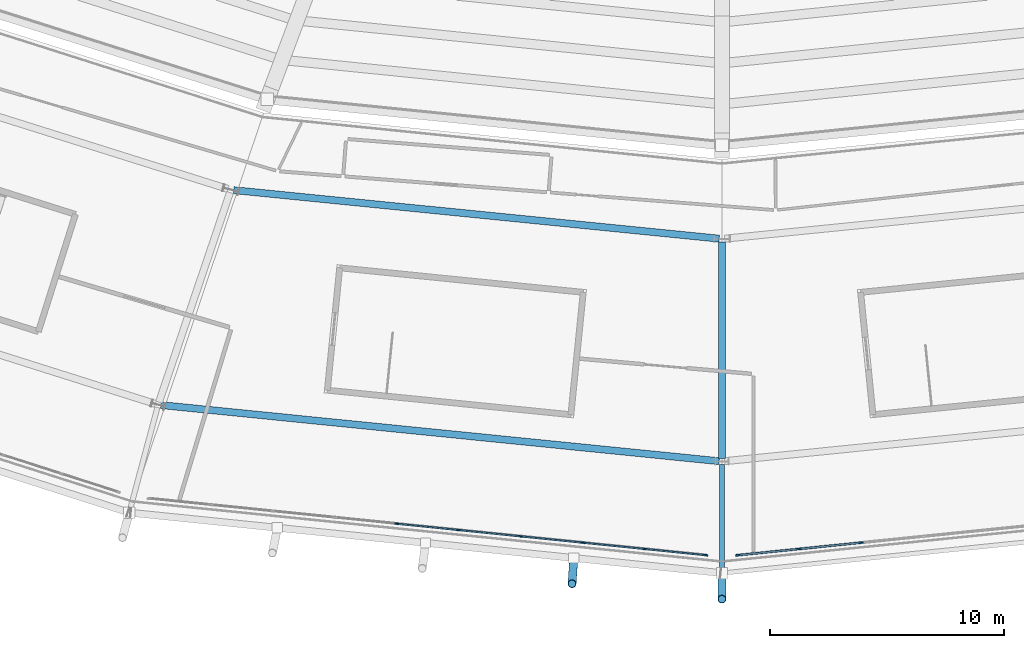
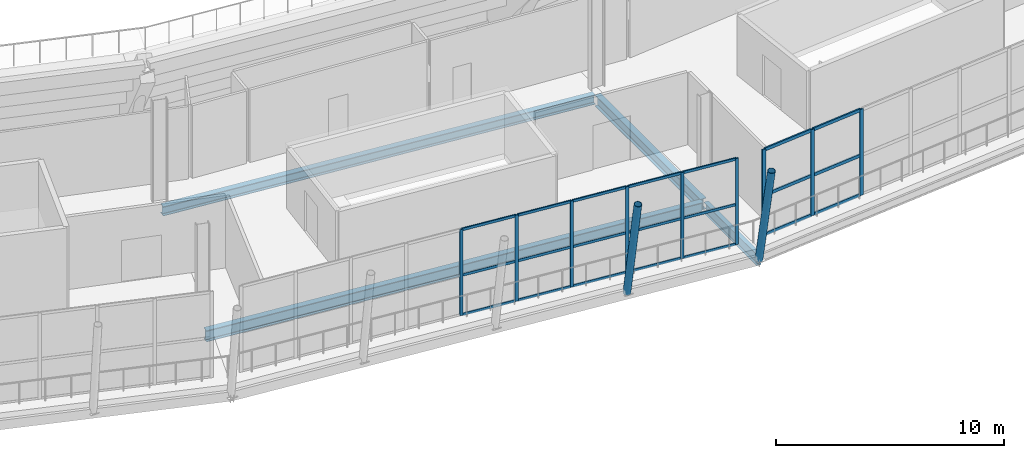
# One storey, part 22 of 126: 32 members, 4 beams, 2 elements without a shape of their own.
"""IFC4 building model written with IfcOpenShell, lengths in metres."""

from ifc_helpers import new_model, si_unit, direction, frame, origin, origin_2d, place, context, subcontext, project, spatial, rectangle, hollow_circle, i_section, extrude, material, material_profile, profile_set, type_object, element, aggregate, save


model = new_model("IFC4")

# Units and contexts
model_context = context("Model", 3, precision=1e-05, world=origin(), true_north=direction((0.0, 1.0)))
body_context = subcontext(model_context, "Body", "Model", "MODEL_VIEW")
ifc_project = project(units=[si_unit("LENGTHUNIT", "METRE"), si_unit("AREAUNIT", "SQUARE_METRE"), si_unit("VOLUMEUNIT", "CUBIC_METRE"), si_unit("PLANEANGLEUNIT", "RADIAN"), si_unit("MASSUNIT", "GRAM", prefix="KILO")], contexts=[model_context])

# Site, building, storey
site_placement = place(None, origin())
site = spatial("IfcSite", under=ifc_project, at=site_placement, CompositionType="ELEMENT")
building_placement = place(site_placement, origin())
building = spatial("IfcBuilding", under=site, at=building_placement, Name="Zlatoyarsky Gate Stadium", CompositionType="ELEMENT")
storey_placement = place(building_placement, frame((0.0, 0.0, 20.800048828125)))
storey = spatial("IfcBuildingStorey", under=building, at=storey_placement, Name="L04", CompositionType="ELEMENT", Elevation=20.800048828125)

# Curtain wall, members
ifc_material_1 = material(Name="Thermally broken anodised aluminium curtain wall", Category="aluminium")
curtain_wall_type_1 = type_object("IfcCurtainWallType", Name="MONUMENTAL ARCHED GATE GLAZING LOWER", PredefinedType="USERDEFINED", material=ifc_material_1)
curtain_wall_1_placement = place(storey_placement, origin())
curtain_wall_1 = element("IfcCurtainWall", 1, at=curtain_wall_1_placement, inside=storey, type_object=curtain_wall_type_1, Name="Curtain wall CW-L04-18", ObjectType="ARCHED GATE GLAZING", PredefinedType="USERDEFINED")
ifc_material_2 = material(Name="Anodised aluminium 6063-T6", Category="aluminium")
ifc_material_profile_1 = material_profile(ifc_material_2, rectangle(XDim=0.074951171875, YDim=0.18994140625, at=origin_2d()), Name="ALU 75X190")
ifc_profile_set_1 = profile_set([ifc_material_profile_1], Name="Anodised aluminium 6063-T6")
member_type_1 = type_object("IfcMemberType", Name="ALUMINIUM GATE MULLION 75X190", PredefinedType="MULLION", material=ifc_profile_set_1)
member_1_placement = place(storey_placement, frame((111.68408203125, 5.0, 0.0), z_axis=(0.0, 0.0, 1.0), x_axis=(-0.10129293102, 0.994856644007, 0.0)))
member_1 = element("IfcMember", 2, at=member_1_placement, type_object=member_type_1, Name="CW-AG1 mullion 1", PredefinedType="MULLION", context=body_context, shape_type="SweptSolid", body=[
    extrude(rectangle(XDim=0.074951171875, YDim=0.18994140625, at=origin_2d()), origin(), (0.0, 0.0, 1.0), 4.619873046875),
])
member_2_placement = place(storey_placement, frame((114.29443359375, 5.265869140625, 0.0), z_axis=(0.0, 0.0, 1.0), x_axis=(-0.10129293102, 0.994856644007, 0.0)))
member_2 = element("IfcMember", 3, at=member_2_placement, type_object=member_type_1, Name="CW-AG1 mullion 2", PredefinedType="MULLION", context=body_context, shape_type="SweptSolid", body=[
    extrude(rectangle(XDim=0.074951171875, YDim=0.18994140625, at=origin_2d()), origin(), (0.0, 0.0, 1.0), 4.619873046875),
])
member_3_placement = place(storey_placement, frame((116.9423828125, 5.535400390625, 0.0), z_axis=(0.0, 0.0, 1.0), x_axis=(-0.10129293102, 0.994856644007, 0.0)))
member_3 = element("IfcMember", 4, at=member_3_placement, type_object=member_type_1, Name="CW-AG1 mullion 3", PredefinedType="MULLION", context=body_context, shape_type="SweptSolid", body=[
    extrude(rectangle(XDim=0.074951171875, YDim=0.18994140625, at=origin_2d()), origin(), (0.0, 0.0, 1.0), 4.619873046875),
])
ifc_material_profile_2 = material_profile(ifc_material_2, rectangle(XDim=0.074951171875, YDim=0.169921875, at=origin_2d()), Name="ALU 75X170")
ifc_profile_set_2 = profile_set([ifc_material_profile_2], Name="Anodised aluminium 6063-T6")
member_type_2 = type_object("IfcMemberType", Name="ALUMINIUM GATE TRANSOM 75X170", PredefinedType="USERDEFINED", material=ifc_profile_set_2)
member_4_placement = place(storey_placement, frame((111.721435546875, 5.00390625, 0.037353515625), z_axis=(0.994861153899, 0.101248626966, 0.0), x_axis=(-0.101248626966, 0.994861153899, 0.0)))
member_4 = element("IfcMember", 5, at=member_4_placement, type_object=member_type_2, Name="CW-AG1 transom 1.1", ObjectType="TRANSOM", PredefinedType="USERDEFINED", context=body_context, shape_type="SweptSolid", body=[
    extrude(rectangle(XDim=0.074951171875, YDim=0.169921875, at=origin_2d()), origin(), (0.0, 0.0, 1.0), 2.548828125),
])
member_5_placement = place(storey_placement, frame((111.721435546875, 5.00390625, 2.14990234375), z_axis=(0.994861153899, 0.101248626966, 0.0), x_axis=(-0.101248626966, 0.994861153899, 0.0)))
member_5 = element("IfcMember", 6, at=member_5_placement, type_object=member_type_2, Name="CW-AG1 transom 1.2", ObjectType="TRANSOM", PredefinedType="USERDEFINED", context=body_context, shape_type="SweptSolid", body=[
    extrude(rectangle(XDim=0.074951171875, YDim=0.169921875, at=origin_2d()), origin(), (0.0, 0.0, 1.0), 2.548828125),
])
member_6_placement = place(storey_placement, frame((111.721435546875, 5.00390625, 4.58251953125), z_axis=(0.994861153899, 0.101248626966, 0.0), x_axis=(-0.101248626966, 0.994861153899, 0.0)))
member_6 = element("IfcMember", 7, at=member_6_placement, type_object=member_type_2, Name="CW-AG1 transom 1.3", ObjectType="TRANSOM", PredefinedType="USERDEFINED", context=body_context, shape_type="SweptSolid", body=[
    extrude(rectangle(XDim=0.074951171875, YDim=0.169921875, at=origin_2d()), origin(), (0.0, 0.0, 1.0), 2.548828125),
])
member_7_placement = place(storey_placement, frame((114.331787109375, 5.26953125, 0.037353515625), z_axis=(0.994858042808, 0.101279191644, 0.0), x_axis=(-0.101279191644, 0.994858042808, 0.0)))
member_7 = element("IfcMember", 8, at=member_7_placement, type_object=member_type_2, Name="CW-AG1 transom 2.1", ObjectType="TRANSOM", PredefinedType="USERDEFINED", context=body_context, shape_type="SweptSolid", body=[
    extrude(rectangle(XDim=0.074951171875, YDim=0.169921875, at=origin_2d()), origin(), (0.0, 0.0, 1.0), 2.58642578125),
])
member_8_placement = place(storey_placement, frame((114.331787109375, 5.26953125, 2.14990234375), z_axis=(0.994858042808, 0.101279191644, 0.0), x_axis=(-0.101279191644, 0.994858042808, 0.0)))
member_8 = element("IfcMember", 9, at=member_8_placement, type_object=member_type_2, Name="CW-AG1 transom 2.2", ObjectType="TRANSOM", PredefinedType="USERDEFINED", context=body_context, shape_type="SweptSolid", body=[
    extrude(rectangle(XDim=0.074951171875, YDim=0.169921875, at=origin_2d()), origin(), (0.0, 0.0, 1.0), 2.58642578125),
])
member_9_placement = place(storey_placement, frame((114.331787109375, 5.26953125, 4.58251953125), z_axis=(0.994858042808, 0.101279191644, 0.0), x_axis=(-0.101279191644, 0.994858042808, 0.0)))
member_9 = element("IfcMember", 10, at=member_9_placement, type_object=member_type_2, Name="CW-AG1 transom 2.3", ObjectType="TRANSOM", PredefinedType="USERDEFINED", context=body_context, shape_type="SweptSolid", body=[
    extrude(rectangle(XDim=0.074951171875, YDim=0.169921875, at=origin_2d()), origin(), (0.0, 0.0, 1.0), 2.58642578125),
])
aggregate(curtain_wall_1, [member_1, member_2, member_3, member_4, member_5, member_6, member_7, member_8, member_9])

curtain_wall_type_2 = type_object("IfcCurtainWallType", Name="UNITISED MEDIA RING GLAZING L04", PredefinedType="USERDEFINED", material=ifc_material_1)
curtain_wall_2_placement = place(storey_placement, origin())
curtain_wall_2 = element("IfcCurtainWall", 11, at=curtain_wall_2_placement, inside=storey, type_object=curtain_wall_type_2, Name="Curtain wall CW-L04-17", ObjectType="UNITISED GLAZING", PredefinedType="USERDEFINED")
ifc_material_profile_3 = material_profile(ifc_material_2, rectangle(XDim=0.06494140625, YDim=0.159912109375, at=origin_2d()), Name="ALU 65X160")
ifc_profile_set_3 = profile_set([ifc_material_profile_3], Name="Anodised aluminium 6063-T6")
member_type_3 = type_object("IfcMemberType", Name="ALUMINIUM MULLION 65X160", PredefinedType="MULLION", material=ifc_profile_set_3)
member_10_placement = place(storey_placement, frame((97.1142578125, 6.34423828125, 0.0), z_axis=(0.0, 0.0, 1.0), x_axis=(0.10129293102, 0.994856644007, 0.0)))
member_10 = element("IfcMember", 12, at=member_10_placement, type_object=member_type_3, Name="CW-UG4 mullion 5", PredefinedType="MULLION", context=body_context, shape_type="SweptSolid", body=[
    extrude(rectangle(XDim=0.06494140625, YDim=0.159912109375, at=origin_2d()), origin(), (0.0, 0.0, 1.0), 4.619873046875),
])
member_11_placement = place(storey_placement, frame((99.76220703125, 6.074462890625, 0.0), z_axis=(0.0, 0.0, 1.0), x_axis=(0.10129293102, 0.994856644007, 0.0)))
member_11 = element("IfcMember", 13, at=member_11_placement, type_object=member_type_3, Name="CW-UG4 mullion 6", PredefinedType="MULLION", context=body_context, shape_type="SweptSolid", body=[
    extrude(rectangle(XDim=0.06494140625, YDim=0.159912109375, at=origin_2d()), origin(), (0.0, 0.0, 1.0), 4.619873046875),
])
member_12_placement = place(storey_placement, frame((102.409912109375, 5.804931640625, 0.0), z_axis=(0.0, 0.0, 1.0), x_axis=(0.10129293102, 0.994856644007, 0.0)))
member_12 = element("IfcMember", 14, at=member_12_placement, type_object=member_type_3, Name="CW-UG4 mullion 7", PredefinedType="MULLION", context=body_context, shape_type="SweptSolid", body=[
    extrude(rectangle(XDim=0.06494140625, YDim=0.159912109375, at=origin_2d()), origin(), (0.0, 0.0, 1.0), 4.619873046875),
])
member_13_placement = place(storey_placement, frame((105.0576171875, 5.535400390625, 0.0), z_axis=(0.0, 0.0, 1.0), x_axis=(0.10129293102, 0.994856644007, 0.0)))
member_13 = element("IfcMember", 15, at=member_13_placement, type_object=member_type_3, Name="CW-UG4 mullion 8", PredefinedType="MULLION", context=body_context, shape_type="SweptSolid", body=[
    extrude(rectangle(XDim=0.06494140625, YDim=0.159912109375, at=origin_2d()), origin(), (0.0, 0.0, 1.0), 4.619873046875),
])
member_14_placement = place(storey_placement, frame((107.70556640625, 5.265869140625, 0.0), z_axis=(0.0, 0.0, 1.0), x_axis=(0.10129293102, 0.994856644007, 0.0)))
member_14 = element("IfcMember", 16, at=member_14_placement, type_object=member_type_3, Name="CW-UG4 mullion 9", PredefinedType="MULLION", context=body_context, shape_type="SweptSolid", body=[
    extrude(rectangle(XDim=0.06494140625, YDim=0.159912109375, at=origin_2d()), origin(), (0.0, 0.0, 1.0), 4.619873046875),
])
member_15_placement = place(storey_placement, frame((110.321044921875, 4.99951171875, 0.0), z_axis=(0.0, 0.0, 1.0), x_axis=(0.10129293102, 0.994856644007, 0.0)))
member_15 = element("IfcMember", 17, at=member_15_placement, type_object=member_type_3, Name="CW-UG4 mullion 10", PredefinedType="MULLION", context=body_context, shape_type="SweptSolid", body=[
    extrude(rectangle(XDim=0.06494140625, YDim=0.159912109375, at=origin_2d()), origin(), (0.0, 0.0, 1.0), 4.619873046875),
])
ifc_material_profile_4 = material_profile(ifc_material_2, rectangle(XDim=0.06494140625, YDim=0.139892578125, at=origin_2d()), Name="ALU 65X140")
ifc_profile_set_4 = profile_set([ifc_material_profile_4], Name="Anodised aluminium 6063-T6")
member_type_4 = type_object("IfcMemberType", Name="ALUMINIUM TRANSOM 65X140", PredefinedType="USERDEFINED", material=ifc_profile_set_4)
member_16_placement = place(storey_placement, frame((97.146728515625, 6.3408203125, 0.032470703125), z_axis=(0.994858725957, -0.101272480894, 0.0), x_axis=(0.101272480894, 0.994858725957, 0.0)))
member_16 = element("IfcMember", 18, at=member_16_placement, type_object=member_type_4, Name="CW-UG4 transom 5.1", ObjectType="TRANSOM", PredefinedType="USERDEFINED", context=body_context, shape_type="SweptSolid", body=[
    extrude(rectangle(XDim=0.06494140625, YDim=0.139892578125, at=origin_2d()), origin(), (0.0, 0.0, 1.0), 2.596435546875),
])
member_17_placement = place(storey_placement, frame((97.146728515625, 6.3408203125, 2.14990234375), z_axis=(0.994858725957, -0.101272480894, 0.0), x_axis=(0.101272480894, 0.994858725957, 0.0)))
member_17 = element("IfcMember", 19, at=member_17_placement, type_object=member_type_4, Name="CW-UG4 transom 5.2", ObjectType="TRANSOM", PredefinedType="USERDEFINED", context=body_context, shape_type="SweptSolid", body=[
    extrude(rectangle(XDim=0.06494140625, YDim=0.139892578125, at=origin_2d()), origin(), (0.0, 0.0, 1.0), 2.596435546875),
])
member_18_placement = place(storey_placement, frame((97.146728515625, 6.3408203125, 4.58740234375), z_axis=(0.994858725957, -0.101272480894, 0.0), x_axis=(0.101272480894, 0.994858725957, 0.0)))
member_18 = element("IfcMember", 20, at=member_18_placement, type_object=member_type_4, Name="CW-UG4 transom 5.3", ObjectType="TRANSOM", PredefinedType="USERDEFINED", context=body_context, shape_type="SweptSolid", body=[
    extrude(rectangle(XDim=0.06494140625, YDim=0.139892578125, at=origin_2d()), origin(), (0.0, 0.0, 1.0), 2.596435546875),
])
member_19_placement = place(storey_placement, frame((99.79443359375, 6.0712890625, 0.032470703125), z_axis=(0.994859690225, -0.101263007879, 0.0), x_axis=(0.101263007879, 0.994859690225, 0.0)))
member_19 = element("IfcMember", 21, at=member_19_placement, type_object=member_type_4, Name="CW-UG4 transom 6.1", ObjectType="TRANSOM", PredefinedType="USERDEFINED", context=body_context, shape_type="SweptSolid", body=[
    extrude(rectangle(XDim=0.06494140625, YDim=0.139892578125, at=origin_2d()), origin(), (0.0, 0.0, 1.0), 2.5966796875),
])
member_20_placement = place(storey_placement, frame((99.79443359375, 6.0712890625, 2.14990234375), z_axis=(0.994859690225, -0.101263007879, 0.0), x_axis=(0.101263007879, 0.994859690225, 0.0)))
member_20 = element("IfcMember", 22, at=member_20_placement, type_object=member_type_4, Name="CW-UG4 transom 6.2", ObjectType="TRANSOM", PredefinedType="USERDEFINED", context=body_context, shape_type="SweptSolid", body=[
    extrude(rectangle(XDim=0.06494140625, YDim=0.139892578125, at=origin_2d()), origin(), (0.0, 0.0, 1.0), 2.5966796875),
])
member_21_placement = place(storey_placement, frame((99.79443359375, 6.0712890625, 4.58740234375), z_axis=(0.994859690225, -0.101263007879, 0.0), x_axis=(0.101263007879, 0.994859690225, 0.0)))
member_21 = element("IfcMember", 23, at=member_21_placement, type_object=member_type_4, Name="CW-UG4 transom 6.3", ObjectType="TRANSOM", PredefinedType="USERDEFINED", context=body_context, shape_type="SweptSolid", body=[
    extrude(rectangle(XDim=0.06494140625, YDim=0.139892578125, at=origin_2d()), origin(), (0.0, 0.0, 1.0), 2.5966796875),
])
member_22_placement = place(storey_placement, frame((102.4423828125, 5.8017578125, 0.032470703125), z_axis=(0.994849247799, -0.101365547176, 0.0), x_axis=(0.101365547176, 0.994849247799, 0.0)))
member_22 = element("IfcMember", 24, at=member_22_placement, type_object=member_type_4, Name="CW-UG4 transom 7.1", ObjectType="TRANSOM", PredefinedType="USERDEFINED", context=body_context, shape_type="SweptSolid", body=[
    extrude(rectangle(XDim=0.06494140625, YDim=0.139892578125, at=origin_2d()), origin(), (0.0, 0.0, 1.0), 2.596435546875),
])
member_23_placement = place(storey_placement, frame((102.4423828125, 5.8017578125, 2.14990234375), z_axis=(0.994849247799, -0.101365547176, 0.0), x_axis=(0.101365547176, 0.994849247799, 0.0)))
member_23 = element("IfcMember", 25, at=member_23_placement, type_object=member_type_4, Name="CW-UG4 transom 7.2", ObjectType="TRANSOM", PredefinedType="USERDEFINED", context=body_context, shape_type="SweptSolid", body=[
    extrude(rectangle(XDim=0.06494140625, YDim=0.139892578125, at=origin_2d()), origin(), (0.0, 0.0, 1.0), 2.596435546875),
])
member_24_placement = place(storey_placement, frame((102.4423828125, 5.8017578125, 4.58740234375), z_axis=(0.994849247799, -0.101365547176, 0.0), x_axis=(0.101365547176, 0.994849247799, 0.0)))
member_24 = element("IfcMember", 26, at=member_24_placement, type_object=member_type_4, Name="CW-UG4 transom 7.3", ObjectType="TRANSOM", PredefinedType="USERDEFINED", context=body_context, shape_type="SweptSolid", body=[
    extrude(rectangle(XDim=0.06494140625, YDim=0.139892578125, at=origin_2d()), origin(), (0.0, 0.0, 1.0), 2.596435546875),
])
member_25_placement = place(storey_placement, frame((105.090087890625, 5.531982421875, 0.032470703125), z_axis=(0.994858725957, -0.101272480894, 0.0), x_axis=(0.101272480894, 0.994858725957, 0.0)))
member_25 = element("IfcMember", 27, at=member_25_placement, type_object=member_type_4, Name="CW-UG4 transom 8.1", ObjectType="TRANSOM", PredefinedType="USERDEFINED", context=body_context, shape_type="SweptSolid", body=[
    extrude(rectangle(XDim=0.06494140625, YDim=0.139892578125, at=origin_2d()), origin(), (0.0, 0.0, 1.0), 2.596435546875),
])
member_26_placement = place(storey_placement, frame((105.090087890625, 5.531982421875, 2.14990234375), z_axis=(0.994858725957, -0.101272480894, 0.0), x_axis=(0.101272480894, 0.994858725957, 0.0)))
member_26 = element("IfcMember", 28, at=member_26_placement, type_object=member_type_4, Name="CW-UG4 transom 8.2", ObjectType="TRANSOM", PredefinedType="USERDEFINED", context=body_context, shape_type="SweptSolid", body=[
    extrude(rectangle(XDim=0.06494140625, YDim=0.139892578125, at=origin_2d()), origin(), (0.0, 0.0, 1.0), 2.596435546875),
])
member_27_placement = place(storey_placement, frame((105.090087890625, 5.531982421875, 4.58740234375), z_axis=(0.994858725957, -0.101272480894, 0.0), x_axis=(0.101272480894, 0.994858725957, 0.0)))
member_27 = element("IfcMember", 29, at=member_27_placement, type_object=member_type_4, Name="CW-UG4 transom 8.3", ObjectType="TRANSOM", PredefinedType="USERDEFINED", context=body_context, shape_type="SweptSolid", body=[
    extrude(rectangle(XDim=0.06494140625, YDim=0.139892578125, at=origin_2d()), origin(), (0.0, 0.0, 1.0), 2.596435546875),
])
member_28_placement = place(storey_placement, frame((107.73779296875, 5.262451171875, 0.032470703125), z_axis=(0.994854532234, -0.101313669822, 0.0), x_axis=(0.101313669822, 0.994854532234, 0.0)))
member_28 = element("IfcMember", 30, at=member_28_placement, type_object=member_type_4, Name="CW-UG4 transom 9.1", ObjectType="TRANSOM", PredefinedType="USERDEFINED", context=body_context, shape_type="SweptSolid", body=[
    extrude(rectangle(XDim=0.06494140625, YDim=0.139892578125, at=origin_2d()), origin(), (0.0, 0.0, 1.0), 2.56396484375),
])
member_29_placement = place(storey_placement, frame((107.73779296875, 5.262451171875, 2.14990234375), z_axis=(0.994854532234, -0.101313669822, 0.0), x_axis=(0.101313669822, 0.994854532234, 0.0)))
member_29 = element("IfcMember", 31, at=member_29_placement, type_object=member_type_4, Name="CW-UG4 transom 9.2", ObjectType="TRANSOM", PredefinedType="USERDEFINED", context=body_context, shape_type="SweptSolid", body=[
    extrude(rectangle(XDim=0.06494140625, YDim=0.139892578125, at=origin_2d()), origin(), (0.0, 0.0, 1.0), 2.56396484375),
])
member_30_placement = place(storey_placement, frame((107.73779296875, 5.262451171875, 4.58740234375), z_axis=(0.994854532234, -0.101313669822, 0.0), x_axis=(0.101313669822, 0.994854532234, 0.0)))
member_30 = element("IfcMember", 32, at=member_30_placement, type_object=member_type_4, Name="CW-UG4 transom 9.3", ObjectType="TRANSOM", PredefinedType="USERDEFINED", context=body_context, shape_type="SweptSolid", body=[
    extrude(rectangle(XDim=0.06494140625, YDim=0.139892578125, at=origin_2d()), origin(), (0.0, 0.0, 1.0), 2.56396484375),
])
aggregate(curtain_wall_2, [member_10, member_11, member_12, member_13, member_14, member_15, member_16, member_17, member_18, member_19, member_20, member_21, member_22, member_23, member_24, member_25, member_26, member_27, member_28, member_29, member_30])

# Beam
ifc_material_3 = material(Name="Steel S355", Category="steel")
ifc_material_profile_5 = material_profile(ifc_material_3, i_section(OverallWidth=0.219970703125, OverallDepth=0.60009765625, WebThickness=0.011962890625, FlangeThickness=0.01904296875, FilletRadius=0.02392578125, at=origin_2d()), Name="IPE 600")
ifc_profile_set_5 = profile_set([ifc_material_profile_5], Name="Steel S355")
beam_type_1 = type_object("IfcBeamType", Name="STEEL CANTILEVER FLOOR BEAM IPE 600", PredefinedType="BEAM", material=ifc_profile_set_5)
beam_1_placement = place(storey_placement, frame((111.0, 8.8798828125, -0.60009765625), z_axis=(0.0, -1.0, 0.0), x_axis=(1.0, 0.0, 0.0)))
element("IfcBeam", 33, at=beam_1_placement, inside=storey, type_object=beam_type_1, Name="Beam B-IPE600 BM-L04-OUT-18", PredefinedType="BEAM", context=body_context, shape_type="SweptSolid", body=[
    extrude(i_section(OverallWidth=0.219970703125, OverallDepth=0.60009765625, WebThickness=0.011962890625, FlangeThickness=0.01904296875, FilletRadius=0.02392578125, at=origin_2d()), origin(), (0.0, 0.0, 1.0), 4.6494140625),
])

# Members
ifc_material_profile_6 = material_profile(ifc_material_3, hollow_circle(Radius=0.177734375, WallThickness=0.02001953125, at=origin_2d()), Name="CHS 355.6X20")
ifc_profile_set_6 = profile_set([ifc_material_profile_6], Name="Steel S355")
member_type_5 = type_object("IfcMemberType", Name="STEEL LEANING RIB RING STRUT CHS 355.6X20", PredefinedType="STRUT", material=ifc_profile_set_6)
member_31_placement = place(storey_placement, frame((111.0, 4.23046875, -0.60009765625), z_axis=(0.0, -0.199692055567, 0.979858705602), x_axis=(1.0, 0.0, 0.0)))
element("IfcMember", 34, at=member_31_placement, inside=storey, type_object=member_type_5, Name="Leaning ring strut 18 L04 to L05", PredefinedType="STRUT", context=body_context, shape_type="SweptSolid", body=[
    extrude(hollow_circle(Radius=0.177734375, WallThickness=0.02001953125, at=origin_2d()), origin(), (0.0, 0.0, 1.0), 5.5517578125),
])
member_32_placement = place(storey_placement, frame((104.673828125, 4.875732421875, -0.550048828125), z_axis=(-0.012932194534, -0.197985740132, 0.980119587116), x_axis=(0.997873528112, -0.06517991941, 0.0)))
element("IfcMember", 35, at=member_32_placement, inside=storey, type_object=member_type_5, Name="Outward-leaning bowl louvre fin rib L04 17-3", PredefinedType="STRUT", context=body_context, shape_type="SweptSolid", body=[
    extrude(hollow_circle(Radius=0.177734375, WallThickness=0.02001953125, at=origin_2d()), origin(), (0.0, 0.0, 1.0), 5.55029296875),
])

# Beams
ifc_material_profile_7 = material_profile(ifc_material_3, i_section(OverallWidth=0.300048828125, OverallDepth=0.5, WebThickness=0.014404296875, FlangeThickness=0.028076171875, FilletRadius=0.027099609375, at=origin_2d()), Name="HEB 500")
ifc_profile_set_7 = profile_set([ifc_material_profile_7], Name="Steel S355")
beam_type_2 = type_object("IfcBeamType", Name="STEEL PRIMARY GIRDER HEB 500", PredefinedType="BEAM", material=ifc_profile_set_7)
beam_2_placement = place(storey_placement, frame((90.155029296875, 20.583740234375, -0.550048828125), z_axis=(0.995040903182, -0.099466582298, 0.0), x_axis=(0.099466582298, 0.995040903182, 0.0)))
element("IfcBeam", 36, at=beam_2_placement, inside=storey, type_object=beam_type_2, Name="Beam G-HEB500 BM-L04-CRB-17", PredefinedType="BEAM", context=body_context, shape_type="SweptSolid", body=[
    extrude(i_section(OverallWidth=0.300048828125, OverallDepth=0.5, WebThickness=0.014404296875, FlangeThickness=0.028076171875, FilletRadius=0.027099609375, at=origin_2d()), origin(), (0.0, 0.0, 1.0), 20.828857421875),
])
ifc_material_profile_8 = material_profile(ifc_material_3, i_section(OverallWidth=0.300048828125, OverallDepth=0.60009765625, WebThickness=0.015380859375, FlangeThickness=0.030029296875, FilletRadius=0.027099609375, at=origin_2d()), Name="HEB 600")
ifc_profile_set_8 = profile_set([ifc_material_profile_8], Name="Steel S355")
beam_type_3 = type_object("IfcBeamType", Name="STEEL PRIMARY GIRDER HEB 600", PredefinedType="BEAM", material=ifc_profile_set_8)
beam_3_placement = place(storey_placement, frame((87.04931640625, 11.4072265625, -0.60009765625), z_axis=(0.994986905268, -0.100005291586, 0.0), x_axis=(0.100005291586, 0.994986905268, 0.0)))
element("IfcBeam", 37, at=beam_3_placement, inside=storey, type_object=beam_type_3, Name="Beam G-HEB600 BM-L04-CRC-17", PredefinedType="BEAM", context=body_context, shape_type="SweptSolid", body=[
    extrude(i_section(OverallWidth=0.300048828125, OverallDepth=0.60009765625, WebThickness=0.015380859375, FlangeThickness=0.030029296875, FilletRadius=0.027099609375, at=origin_2d()), origin(), (0.0, 0.0, 1.0), 23.951416015625),
])
beam_4_placement = place(storey_placement, frame((111.0, 18.3798828125, -0.60009765625), z_axis=(0.0, -1.0, 0.0), x_axis=(1.0, 0.0, 0.0)))
element("IfcBeam", 38, at=beam_4_placement, inside=storey, type_object=beam_type_3, Name="Beam G-HEB600 BM-L04-RBC-18", PredefinedType="BEAM", context=body_context, shape_type="SweptSolid", body=[
    extrude(i_section(OverallWidth=0.300048828125, OverallDepth=0.60009765625, WebThickness=0.015380859375, FlangeThickness=0.030029296875, FilletRadius=0.027099609375, at=origin_2d()), origin(), (0.0, 0.0, 1.0), 9.259765625),
])

save(model, "model.ifc")
